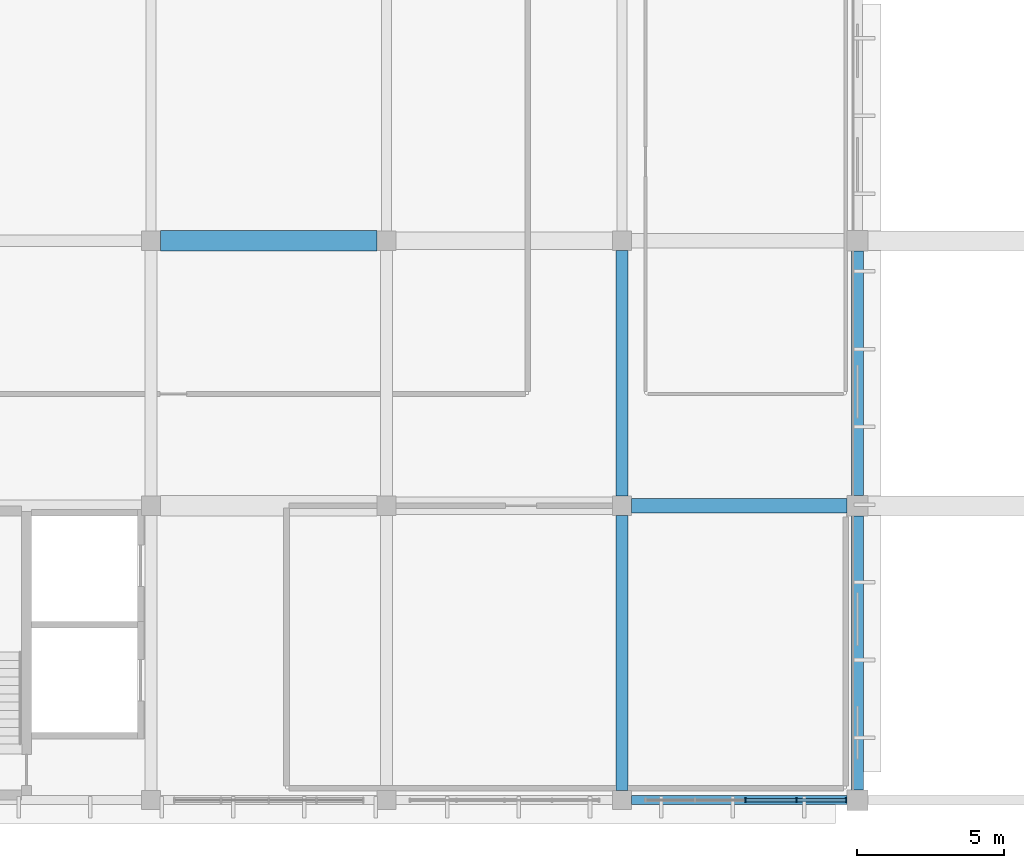
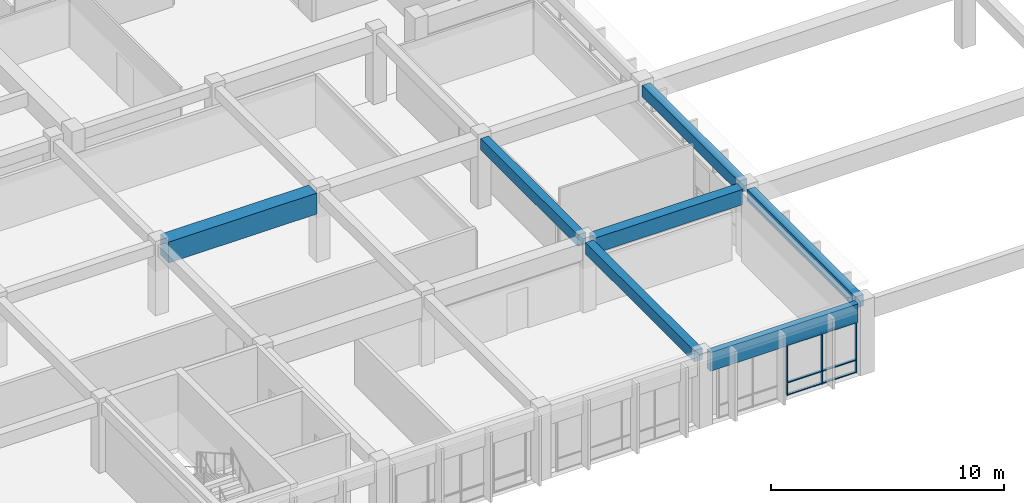
# One storey, part 27 of 98: 9 members, 7 beams, 1 element without a shape of its own.
"""IFC4 building model written with IfcOpenShell, lengths in metres."""

import ifcopenshell
import ifcopenshell.guid

model = None  # the IFC model being written
_history = None  # IfcOwnerHistory: only IFC2X3 demands one
_inside = {}  # id of a spatial element -> (the spatial element, [elements in it])
_under = {}  # id of a project, library or spatial element -> (it, [spatial elements below it])
_declared = {}  # id of a project -> (the project, [libraries it declares])
_typed = {}  # id of a type object -> (the type object, [elements of that type])
_made_of = {}  # id of a material, layer set ... -> (it, [elements and type objects made of it])


def new_model(schema):
    """Start an empty IFC model of exactly this schema.

    Asked for "IFC4X3", IfcOpenShell would pick the latest addendum, in which some entities
    have other attributes; the version numbers below select the first issue.
    IFC2X3 requires an IfcOwnerHistory on every rooted entity: one is made here for all.
    """
    global model, _history
    if schema == "IFC4X3":
        model = ifcopenshell.file(schema_version=(4, 3, 0, 0))
    else:
        model = ifcopenshell.file(schema=schema)
    _inside.clear()
    _under.clear()
    _declared.clear()
    _typed.clear()
    _made_of.clear()
    _history = None
    if model.schema == "IFC2X3":
        org = make("IfcOrganization", Name="unknown")
        user = make(
            "IfcPersonAndOrganization",
            ThePerson=make("IfcPerson", FamilyName="unknown"),
            TheOrganization=org,
        )
        app = make(
            "IfcApplication",
            ApplicationDeveloper=org,
            Version="unknown",
            ApplicationFullName="unknown",
            ApplicationIdentifier="unknown",
        )
        _history = make(
            "IfcOwnerHistory",
            OwningUser=user,
            OwningApplication=app,
            ChangeAction="ADDED",
            CreationDate=0,
        )
    return model


def make(cls, **values):
    """One entity of the class cls with the attributes given. An attribute that is None is left unset."""
    return model.create_entity(
        cls, **{name: value for name, value in values.items() if value is not None}
    )


def rooted(cls, **values):
    """An entity with a GlobalId (a new one), such as an element, a storey or a relation."""
    return make(cls, GlobalId=ifcopenshell.guid.new(), OwnerHistory=_history, **values)


def si_unit(unit_type, name, prefix=None):
    """IfcSIUnit, for example si_unit("LENGTHUNIT", "METRE", prefix="MILLI")."""
    return make("IfcSIUnit", UnitType=unit_type, Prefix=prefix, Name=name)


def assignment(units):
    """IfcUnitAssignment: the units of a project."""
    return None if units is None else make("IfcUnitAssignment", Units=units)


def point(xyz):
    """IfcCartesianPoint."""
    return None if xyz is None else make("IfcCartesianPoint", Coordinates=xyz)


def direction(xyz):
    """IfcDirection."""
    return None if xyz is None else make("IfcDirection", DirectionRatios=xyz)


def frame(location, z_axis=None, x_axis=None):
    """IfcAxis2Placement3D, a coordinate frame: its origin and axes. An axis left out is left unset."""
    return make(
        "IfcAxis2Placement3D",
        Location=point(location),
        Axis=direction(z_axis),
        RefDirection=direction(x_axis),
    )


def frame_2d(location, x_axis=None):
    """IfcAxis2Placement2D, a coordinate frame in the plane: its origin and x axis."""
    return make(
        "IfcAxis2Placement2D", Location=point(location), RefDirection=direction(x_axis)
    )


def origin():
    """The frame at (0, 0, 0) with its axes left unset."""
    return frame((0.0, 0.0, 0.0))


def origin_2d():
    """The frame at (0, 0) in the plane with its x axis left unset."""
    return frame_2d((0.0, 0.0))


def place(relative_to, where):
    """IfcLocalPlacement: puts the frame where relative to a parent placement (None: the world)."""
    return make(
        "IfcLocalPlacement", PlacementRelTo=relative_to, RelativePlacement=where
    )


def context(
    kind, dimensions, precision=None, world=None, true_north=None, identifier=None
):
    """IfcGeometricRepresentationContext, for example the 3D "Model" context."""
    return make(
        "IfcGeometricRepresentationContext",
        ContextIdentifier=identifier,
        ContextType=kind,
        CoordinateSpaceDimension=dimensions,
        Precision=precision,
        WorldCoordinateSystem=world,
        TrueNorth=true_north,
    )


def subcontext(parent, identifier, kind, view, scale=None):
    """IfcGeometricRepresentationSubContext, for example "Body" below "Model"."""
    return make(
        "IfcGeometricRepresentationSubContext",
        ContextIdentifier=identifier,
        ContextType=kind,
        ParentContext=parent,
        TargetScale=scale,
        TargetView=view,
    )


def project(units=None, contexts=None):
    """IfcProject with its units and contexts."""
    return rooted(
        "IfcProject",
        Name="project",
        RepresentationContexts=contexts,
        UnitsInContext=assignment(units),
    )


def spatial(cls, under=None, at=None, **own):
    """A site, building, storey or space (cls), placed at a placement, below another one or the project."""
    s = rooted(cls, ObjectPlacement=at, **own)
    if under is not None:
        _under.setdefault(under.id(), (under, []))[1].append(s)
    return s


def profile(cls, at=None, kind="AREA", **sizes):
    """A parametric profile (cls). Its sizes go by their IFC names, for example OverallWidth=200.0."""
    return make(cls, ProfileType=kind, Position=at, **sizes)


def rectangle(**sizes):
    """IfcRectangleProfileDef."""
    return profile("IfcRectangleProfileDef", **sizes)


def extrude(swept, where, along, depth):
    """IfcExtrudedAreaSolid: the profile swept, set in the frame where, extruded along a direction by depth."""
    return make(
        "IfcExtrudedAreaSolid",
        SweptArea=swept,
        Position=where,
        ExtrudedDirection=direction(along),
        Depth=depth,
    )


def shape(context_of_items, identifier, shape_type, items):
    """IfcShapeRepresentation: the items that make up one representation, for example the "Body"."""
    return make(
        "IfcShapeRepresentation",
        ContextOfItems=context_of_items,
        RepresentationIdentifier=identifier,
        RepresentationType=shape_type,
        Items=items,
    )


def material(Name=None, Category=None):
    """IfcMaterial."""
    return make("IfcMaterial", Name=Name, Category=Category)


def material_profile(
    of_material, cross_section, Name=None, Category=None, Priority=None
):
    """IfcMaterialProfile: a cross section and its material."""
    return make(
        "IfcMaterialProfile",
        Name=Name,
        Material=of_material,
        Profile=cross_section,
        Priority=Priority,
        Category=Category,
    )


def profile_set(profiles, Name=None, composite=None):
    """IfcMaterialProfileSet."""
    return make(
        "IfcMaterialProfileSet",
        Name=Name,
        MaterialProfiles=profiles,
        CompositeProfile=composite,
    )


def made_of(thing, what):
    """Note that an element or type object is made of a material, layer set ...; save() writes the relation."""
    if what is not None:
        _made_of.setdefault(what.id(), (what, []))[1].append(thing)
    return thing


def type_object(cls, material=None, **own):
    """A type object (cls), such as IfcWallType, which elements share."""
    return made_of(rooted(cls, **own), material)


def element(
    cls,
    number,
    at=None,
    inside=None,
    cuts=None,
    type_object=None,
    material=None,
    context=None,
    identifier="Body",
    shape_type=None,
    held_by="IfcProductDefinitionShape",
    body=None,
    shapes=None,
    **own,
):
    """One element of the class cls, such as IfcWall. Its Tag is "e" and its number.

    at: its placement. inside: the storey or other place that contains it. cuts: it is an
    opening in that element (IfcRelVoidsElement). A single representation is given by context,
    identifier, shape_type and body (its items); several are given by shapes. held_by: the class
    of the entity that holds the representations. save() writes the other relations.
    """
    e = rooted(cls, Tag="e%d" % number, ObjectPlacement=at, **own)
    if body is not None:
        shapes = [shape(context, identifier, shape_type, body)]
    if shapes is not None:
        e.Representation = make(held_by, Representations=shapes)
    if inside is not None:
        _inside.setdefault(inside.id(), (inside, []))[1].append(e)
    if cuts is not None:
        rooted(
            "IfcRelVoidsElement", RelatingBuildingElement=cuts, RelatedOpeningElement=e
        )
    if type_object is not None:
        _typed.setdefault(type_object.id(), (type_object, []))[1].append(e)
    return made_of(e, material)


def aggregate(whole, parts):
    """IfcRelAggregates: a whole, such as a stair, and the parts it consists of."""
    return rooted("IfcRelAggregates", RelatingObject=whole, RelatedObjects=parts)


def save(model, path):
    """Write the relations noted so far, then the file.

    IfcRelAggregates (storeys below a building ...), IfcRelContainedInSpatialStructure (elements
    in a storey), IfcRelDefinesByType, IfcRelAssociatesMaterial and IfcRelDeclares: one each for
    every whole, place, type object, material and project.
    """
    for whole, parts in _under.values():
        aggregate(whole, parts)
    for where, things in _inside.values():
        rooted(
            "IfcRelContainedInSpatialStructure",
            RelatedElements=things,
            RelatingStructure=where,
        )
    for kind, things in _typed.values():
        rooted("IfcRelDefinesByType", RelatedObjects=things, RelatingType=kind)
    for what, things in _made_of.values():
        rooted("IfcRelAssociatesMaterial", RelatedObjects=things, RelatingMaterial=what)
    for by, libraries in _declared.values():
        rooted("IfcRelDeclares", RelatingContext=by, RelatedDefinitions=libraries)
    model.write(path)


model = new_model("IFC4")

# Units and contexts
model_context = context("Model", 3, precision=1e-05, world=origin(), true_north=direction((0.0, 1.0)))
body_context = subcontext(model_context, "Body", "Model", "MODEL_VIEW")
ifc_project = project(units=[si_unit("LENGTHUNIT", "METRE"), si_unit("AREAUNIT", "SQUARE_METRE"), si_unit("VOLUMEUNIT", "CUBIC_METRE"), si_unit("PLANEANGLEUNIT", "RADIAN"), si_unit("MASSUNIT", "GRAM", prefix="KILO")], contexts=[model_context])

# Site, building, storey
site_placement = place(None, origin())
site = spatial("IfcSite", under=ifc_project, at=site_placement, CompositionType="ELEMENT")
building_placement = place(site_placement, origin())
building = spatial("IfcBuilding", under=site, at=building_placement, Name="Larkveld Mobility Hub", CompositionType="ELEMENT")
storey_placement = place(building_placement, frame((0.0, 0.0, 4.5)))
storey = spatial("IfcBuildingStorey", under=building, at=storey_placement, Name="L01", CompositionType="ELEMENT", Elevation=4.5)

# Beams
ifc_material_1 = material(Name="Concrete C40/50", Category="concrete")
ifc_material_profile_1 = material_profile(ifc_material_1, rectangle(XDim=0.39990234375, YDim=0.60009765625, at=origin_2d()), Name="RC BM 400x600")
ifc_profile_set_1 = profile_set([ifc_material_profile_1], Name="Concrete C40/50")
beam_type_1 = type_object("IfcBeamType", Name="BM-RC4060", PredefinedType="BEAM", material=ifc_profile_set_1)
beam_1_placement = place(storey_placement, frame((144.0, 0.324951171875, 3.360107421875), z_axis=(0.0, 1.0, 0.0), x_axis=(-1.0, 0.0, 0.0)))
element("IfcBeam", 1, at=beam_1_placement, inside=storey, type_object=beam_type_1, Name="Primary N-S Girder L01-0434", PredefinedType="BEAM", context=body_context, shape_type="SweptSolid", body=[
    extrude(rectangle(XDim=0.39990234375, YDim=0.60009765625, at=origin_2d()), origin(), (0.0, 0.0, 1.0), 9.35009765625),
])
beam_2_placement = place(storey_placement, frame((144.0, 10.324951171875, 3.360107421875), z_axis=(0.0, 1.0, 0.0), x_axis=(-1.0, 0.0, 0.0)))
element("IfcBeam", 2, at=beam_2_placement, inside=storey, type_object=beam_type_1, Name="Primary N-S Girder L01-0435", PredefinedType="BEAM", context=body_context, shape_type="SweptSolid", body=[
    extrude(rectangle(XDim=0.39990234375, YDim=0.60009765625, at=origin_2d()), origin(), (0.0, 0.0, 1.0), 8.35009765625),
])
beam_3_placement = place(storey_placement, frame((152.0, 0.35009765625, 3.360107421875), z_axis=(0.0, 1.0, 0.0), x_axis=(-1.0, 0.0, 0.0)))
element("IfcBeam", 3, at=beam_3_placement, inside=storey, type_object=beam_type_1, Name="Primary N-S Girder L01-0447", PredefinedType="BEAM", context=body_context, shape_type="SweptSolid", body=[
    extrude(rectangle(XDim=0.39990234375, YDim=0.60009765625, at=origin_2d()), origin(), (0.0, 0.0, 1.0), 9.2998046875),
])
beam_4_placement = place(storey_placement, frame((152.0, 10.35009765625, 3.360107421875), z_axis=(0.0, 1.0, 0.0), x_axis=(-1.0, 0.0, 0.0)))
element("IfcBeam", 4, at=beam_4_placement, inside=storey, type_object=beam_type_1, Name="Primary N-S Girder L01-0448", PredefinedType="BEAM", context=body_context, shape_type="SweptSolid", body=[
    extrude(rectangle(XDim=0.39990234375, YDim=0.60009765625, at=origin_2d()), origin(), (0.0, 0.0, 1.0), 8.2998046875),
])
ifc_material_profile_2 = material_profile(ifc_material_1, rectangle(XDim=0.5, YDim=0.800048828125, at=origin_2d()), Name="RC BM 500x800")
ifc_profile_set_2 = profile_set([ifc_material_profile_2], Name="Concrete C40/50")
beam_type_2 = type_object("IfcBeamType", Name="BM-RC5080", PredefinedType="BEAM", material=ifc_profile_set_2)
beam_5_placement = place(storey_placement, frame((144.324951171875, 10.0, 3.260009765625), z_axis=(1.0, 0.0, 0.0), x_axis=(0.0, 1.0, 0.0)))
element("IfcBeam", 5, at=beam_5_placement, inside=storey, type_object=beam_type_2, Name="Primary E-W Girder L01-0253", PredefinedType="BEAM", context=body_context, shape_type="SweptSolid", body=[
    extrude(rectangle(XDim=0.5, YDim=0.800048828125, at=origin_2d()), origin(), (0.0, 0.0, 1.0), 7.324951171875),
])
ifc_material_profile_3 = material_profile(ifc_material_1, rectangle(XDim=0.699951171875, YDim=1.10009765625, at=origin_2d()), Name="RC BM 700x1100")
ifc_profile_set_3 = profile_set([ifc_material_profile_3], Name="Concrete C40/50")
beam_type_3 = type_object("IfcBeamType", Name="BM-RC70110", PredefinedType="BEAM", material=ifc_profile_set_3)
beam_6_placement = place(storey_placement, frame((128.324951171875, 19.0, 3.110107421875), z_axis=(1.0, 0.0, 0.0), x_axis=(0.0, 1.0, 0.0)))
element("IfcBeam", 6, at=beam_6_placement, inside=storey, type_object=beam_type_3, Name="Primary E-W Girder L01-0258", PredefinedType="BEAM", context=body_context, shape_type="SweptSolid", body=[
    extrude(rectangle(XDim=0.699951171875, YDim=1.10009765625, at=origin_2d()), origin(), (0.0, 0.0, 1.0), 7.35009765625),
])
ifc_material_2 = material(Name="Precast concrete C50/60", Category="concrete")
ifc_material_profile_4 = material_profile(ifc_material_2, rectangle(XDim=0.300048828125, YDim=0.97998046875, at=origin_2d()), Name="PC SP 300x980")
ifc_profile_set_4 = profile_set([ifc_material_profile_4], Name="Precast concrete C50/60")
beam_type_4 = type_object("IfcBeamType", Name="BM-SP3098", PredefinedType="SPANDREL", material=ifc_profile_set_4)
beam_7_placement = place(storey_placement, frame((144.324951171875, 0.0, 3.169921875), z_axis=(1.0, 0.0, 0.0), x_axis=(0.0, 1.0, 0.0)))
element("IfcBeam", 7, at=beam_7_placement, inside=storey, type_object=beam_type_4, Name="Primary E-W Girder L01-0246", PredefinedType="SPANDREL", context=body_context, shape_type="SweptSolid", body=[
    extrude(rectangle(XDim=0.300048828125, YDim=0.97998046875, at=origin_2d()), origin(), (0.0, 0.0, 1.0), 7.324951171875),
])

# Curtain wall, members
ifc_material_3 = material(Name="Anodised aluminium 6063-T6", Category="aluminium")
curtain_wall_type = type_object("IfcCurtainWallType", Name="CW-SYS-01", PredefinedType="NOTDEFINED", material=ifc_material_3)
curtain_wall_placement = place(storey_placement, origin())
curtain_wall = element("IfcCurtainWall", 8, at=curtain_wall_placement, inside=storey, type_object=curtain_wall_type, Name="Service Centre South Curtain Wall L01 CW-097", PredefinedType="NOTDEFINED")
ifc_material_profile_5 = material_profile(ifc_material_3, rectangle(XDim=0.050048828125, YDim=0.14990234375, at=origin_2d()), Name="ALU MULL 50x150")
ifc_profile_set_5 = profile_set([ifc_material_profile_5], Name="Anodised aluminium 6063-T6")
member_type_1 = type_object("IfcMemberType", Name="CW-MUL-01", PredefinedType="MULLION", material=ifc_profile_set_5)
member_1_placement = place(storey_placement, frame((148.201904296875, 0.0, -0.001953125), z_axis=(0.0, 0.0, 1.0), x_axis=(1.0, 0.0, 0.0)))
member_1 = element("IfcMember", 9, at=member_1_placement, type_object=member_type_1, Name="CW01 mullion 3", PredefinedType="MULLION", context=body_context, shape_type="SweptSolid", body=[
    extrude(rectangle(XDim=0.050048828125, YDim=0.14990234375, at=origin_2d()), origin(), (0.0, 0.0, 1.0), 2.681884765625),
])
member_2_placement = place(storey_placement, frame((149.9208984375, 0.0, -0.001953125), z_axis=(0.0, 0.0, 1.0), x_axis=(1.0, 0.0, 0.0)))
member_2 = element("IfcMember", 10, at=member_2_placement, type_object=member_type_1, Name="CW01 mullion 4", PredefinedType="MULLION", context=body_context, shape_type="SweptSolid", body=[
    extrude(rectangle(XDim=0.050048828125, YDim=0.14990234375, at=origin_2d()), origin(), (0.0, 0.0, 1.0), 2.681884765625),
])
member_3_placement = place(storey_placement, frame((151.614990234375, 0.0, -0.001953125), z_axis=(0.0, 0.0, 1.0), x_axis=(1.0, 0.0, 0.0)))
member_3 = element("IfcMember", 11, at=member_3_placement, type_object=member_type_1, Name="CW01 mullion 5", PredefinedType="MULLION", context=body_context, shape_type="SweptSolid", body=[
    extrude(rectangle(XDim=0.050048828125, YDim=0.14990234375, at=origin_2d()), origin(), (0.0, 0.0, 1.0), 2.681884765625),
])
ifc_material_profile_6 = material_profile(ifc_material_3, rectangle(XDim=0.1201171875, YDim=0.050048828125, at=origin_2d()), Name="ALU TRAN 50x120")
ifc_profile_set_6 = profile_set([ifc_material_profile_6], Name="Anodised aluminium 6063-T6")
member_type_2 = type_object("IfcMemberType", Name="CW-TRN-01", PredefinedType="USERDEFINED", material=ifc_profile_set_6)
member_4_placement = place(storey_placement, frame((148.218017578125, 0.0, 0.030029296875), z_axis=(1.0, 0.0, 0.0), x_axis=(0.0, 1.0, 0.0)))
member_4 = element("IfcMember", 12, at=member_4_placement, type_object=member_type_2, Name="CW01 transom 3.1", ObjectType="TRANSOM", PredefinedType="USERDEFINED", context=body_context, shape_type="SweptSolid", body=[
    extrude(rectangle(XDim=0.1201171875, YDim=0.050048828125, at=origin_2d()), origin(), (0.0, 0.0, 1.0), 1.68798828125),
])
member_5_placement = place(storey_placement, frame((148.218017578125, 0.0, 0.669921875), z_axis=(1.0, 0.0, 0.0), x_axis=(0.0, 1.0, 0.0)))
member_5 = element("IfcMember", 13, at=member_5_placement, type_object=member_type_2, Name="CW01 transom 3.2", ObjectType="TRANSOM", PredefinedType="USERDEFINED", context=body_context, shape_type="SweptSolid", body=[
    extrude(rectangle(XDim=0.1201171875, YDim=0.050048828125, at=origin_2d()), origin(), (0.0, 0.0, 1.0), 1.68798828125),
])
member_6_placement = place(storey_placement, frame((148.218017578125, 0.0, 2.64794921875), z_axis=(1.0, 0.0, 0.0), x_axis=(0.0, 1.0, 0.0)))
member_6 = element("IfcMember", 14, at=member_6_placement, type_object=member_type_2, Name="CW01 transom 3.3", ObjectType="TRANSOM", PredefinedType="USERDEFINED", context=body_context, shape_type="SweptSolid", body=[
    extrude(rectangle(XDim=0.1201171875, YDim=0.050048828125, at=origin_2d()), origin(), (0.0, 0.0, 1.0), 1.68798828125),
])
member_7_placement = place(storey_placement, frame((149.93603515625, 0.0, 0.030029296875), z_axis=(1.0, 0.0, 0.0), x_axis=(0.0, 1.0, 0.0)))
member_7 = element("IfcMember", 15, at=member_7_placement, type_object=member_type_2, Name="CW01 transom 4.1", ObjectType="TRANSOM", PredefinedType="USERDEFINED", context=body_context, shape_type="SweptSolid", body=[
    extrude(rectangle(XDim=0.1201171875, YDim=0.050048828125, at=origin_2d()), origin(), (0.0, 0.0, 1.0), 1.6689453125),
])
member_8_placement = place(storey_placement, frame((149.93603515625, 0.0, 0.669921875), z_axis=(1.0, 0.0, 0.0), x_axis=(0.0, 1.0, 0.0)))
member_8 = element("IfcMember", 16, at=member_8_placement, type_object=member_type_2, Name="CW01 transom 4.2", ObjectType="TRANSOM", PredefinedType="USERDEFINED", context=body_context, shape_type="SweptSolid", body=[
    extrude(rectangle(XDim=0.1201171875, YDim=0.050048828125, at=origin_2d()), origin(), (0.0, 0.0, 1.0), 1.6689453125),
])
member_9_placement = place(storey_placement, frame((149.93603515625, 0.0, 2.64794921875), z_axis=(1.0, 0.0, 0.0), x_axis=(0.0, 1.0, 0.0)))
member_9 = element("IfcMember", 17, at=member_9_placement, type_object=member_type_2, Name="CW01 transom 4.3", ObjectType="TRANSOM", PredefinedType="USERDEFINED", context=body_context, shape_type="SweptSolid", body=[
    extrude(rectangle(XDim=0.1201171875, YDim=0.050048828125, at=origin_2d()), origin(), (0.0, 0.0, 1.0), 1.6689453125),
])
aggregate(curtain_wall, [member_1, member_2, member_3, member_4, member_5, member_6, member_7, member_8, member_9])

save(model, "model.ifc")
